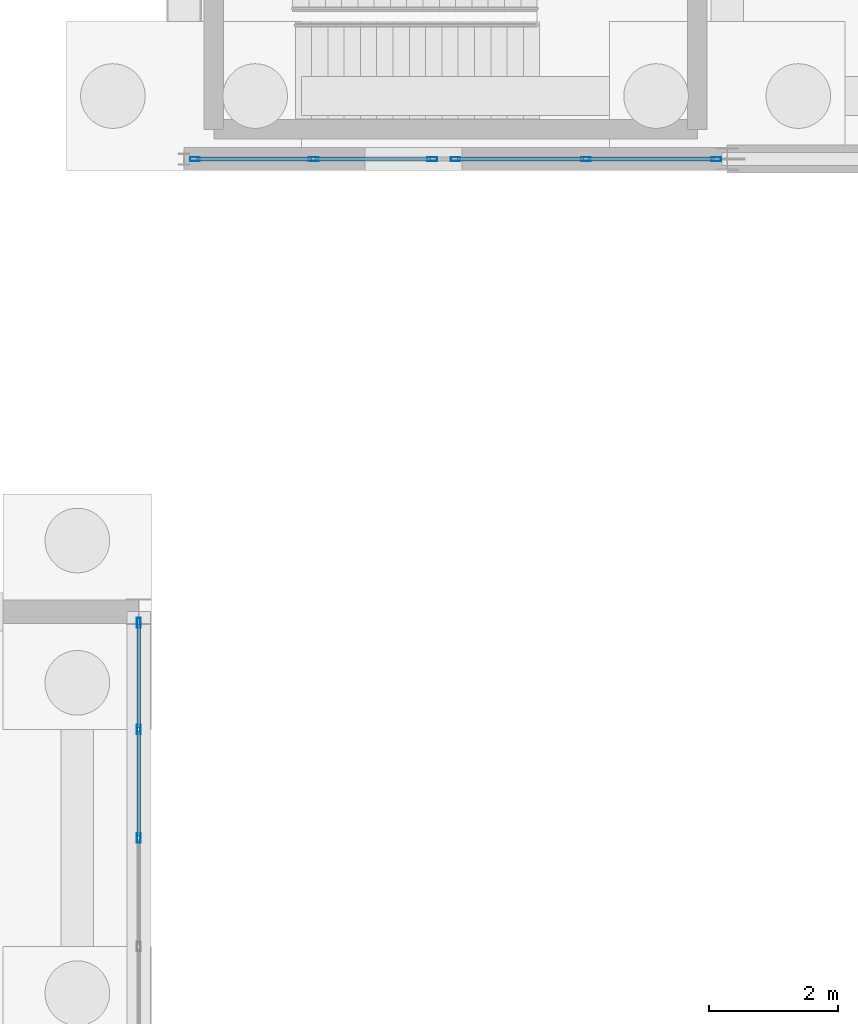
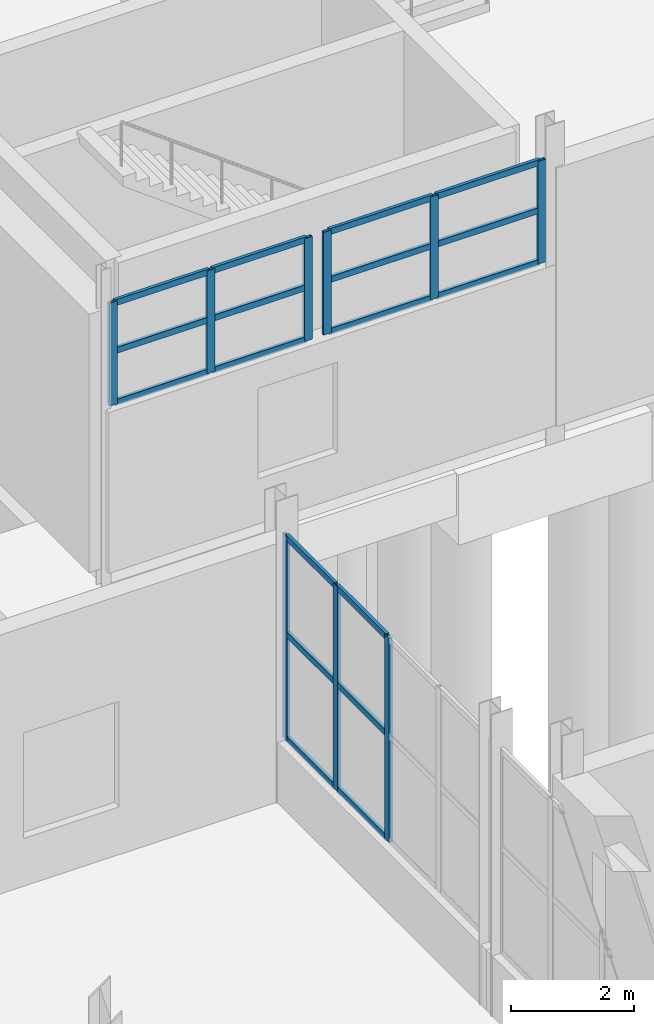
# One storey, part 66 of 139: 27 members, 3 elements without a shape of their own.
"""IFC4 building model written with IfcOpenShell, lengths in metres."""

import ifcopenshell
import ifcopenshell.guid

model = None  # the IFC model being written
_history = None  # IfcOwnerHistory: only IFC2X3 demands one
_inside = {}  # id of a spatial element -> (the spatial element, [elements in it])
_under = {}  # id of a project, library or spatial element -> (it, [spatial elements below it])
_declared = {}  # id of a project -> (the project, [libraries it declares])
_typed = {}  # id of a type object -> (the type object, [elements of that type])
_made_of = {}  # id of a material, layer set ... -> (it, [elements and type objects made of it])


def new_model(schema):
    """Start an empty IFC model of exactly this schema.

    Asked for "IFC4X3", IfcOpenShell would pick the latest addendum, in which some entities
    have other attributes; the version numbers below select the first issue.
    IFC2X3 requires an IfcOwnerHistory on every rooted entity: one is made here for all.
    """
    global model, _history
    if schema == "IFC4X3":
        model = ifcopenshell.file(schema_version=(4, 3, 0, 0))
    else:
        model = ifcopenshell.file(schema=schema)
    _inside.clear()
    _under.clear()
    _declared.clear()
    _typed.clear()
    _made_of.clear()
    _history = None
    if model.schema == "IFC2X3":
        org = make("IfcOrganization", Name="unknown")
        user = make(
            "IfcPersonAndOrganization",
            ThePerson=make("IfcPerson", FamilyName="unknown"),
            TheOrganization=org,
        )
        app = make(
            "IfcApplication",
            ApplicationDeveloper=org,
            Version="unknown",
            ApplicationFullName="unknown",
            ApplicationIdentifier="unknown",
        )
        _history = make(
            "IfcOwnerHistory",
            OwningUser=user,
            OwningApplication=app,
            ChangeAction="ADDED",
            CreationDate=0,
        )
    return model


def make(cls, **values):
    """One entity of the class cls with the attributes given. An attribute that is None is left unset."""
    return model.create_entity(
        cls, **{name: value for name, value in values.items() if value is not None}
    )


def rooted(cls, **values):
    """An entity with a GlobalId (a new one), such as an element, a storey or a relation."""
    return make(cls, GlobalId=ifcopenshell.guid.new(), OwnerHistory=_history, **values)


def si_unit(unit_type, name, prefix=None):
    """IfcSIUnit, for example si_unit("LENGTHUNIT", "METRE", prefix="MILLI")."""
    return make("IfcSIUnit", UnitType=unit_type, Prefix=prefix, Name=name)


def assignment(units):
    """IfcUnitAssignment: the units of a project."""
    return None if units is None else make("IfcUnitAssignment", Units=units)


def point(xyz):
    """IfcCartesianPoint."""
    return None if xyz is None else make("IfcCartesianPoint", Coordinates=xyz)


def direction(xyz):
    """IfcDirection."""
    return None if xyz is None else make("IfcDirection", DirectionRatios=xyz)


def frame(location, z_axis=None, x_axis=None):
    """IfcAxis2Placement3D, a coordinate frame: its origin and axes. An axis left out is left unset."""
    return make(
        "IfcAxis2Placement3D",
        Location=point(location),
        Axis=direction(z_axis),
        RefDirection=direction(x_axis),
    )


def frame_2d(location, x_axis=None):
    """IfcAxis2Placement2D, a coordinate frame in the plane: its origin and x axis."""
    return make(
        "IfcAxis2Placement2D", Location=point(location), RefDirection=direction(x_axis)
    )


def origin():
    """The frame at (0, 0, 0) with its axes left unset."""
    return frame((0.0, 0.0, 0.0))


def origin_2d():
    """The frame at (0, 0) in the plane with its x axis left unset."""
    return frame_2d((0.0, 0.0))


def place(relative_to, where):
    """IfcLocalPlacement: puts the frame where relative to a parent placement (None: the world)."""
    return make(
        "IfcLocalPlacement", PlacementRelTo=relative_to, RelativePlacement=where
    )


def context(
    kind, dimensions, precision=None, world=None, true_north=None, identifier=None
):
    """IfcGeometricRepresentationContext, for example the 3D "Model" context."""
    return make(
        "IfcGeometricRepresentationContext",
        ContextIdentifier=identifier,
        ContextType=kind,
        CoordinateSpaceDimension=dimensions,
        Precision=precision,
        WorldCoordinateSystem=world,
        TrueNorth=true_north,
    )


def subcontext(parent, identifier, kind, view, scale=None):
    """IfcGeometricRepresentationSubContext, for example "Body" below "Model"."""
    return make(
        "IfcGeometricRepresentationSubContext",
        ContextIdentifier=identifier,
        ContextType=kind,
        ParentContext=parent,
        TargetScale=scale,
        TargetView=view,
    )


def project(units=None, contexts=None):
    """IfcProject with its units and contexts."""
    return rooted(
        "IfcProject",
        Name="project",
        RepresentationContexts=contexts,
        UnitsInContext=assignment(units),
    )


def spatial(cls, under=None, at=None, **own):
    """A site, building, storey or space (cls), placed at a placement, below another one or the project."""
    s = rooted(cls, ObjectPlacement=at, **own)
    if under is not None:
        _under.setdefault(under.id(), (under, []))[1].append(s)
    return s


def profile(cls, at=None, kind="AREA", **sizes):
    """A parametric profile (cls). Its sizes go by their IFC names, for example OverallWidth=200.0."""
    return make(cls, ProfileType=kind, Position=at, **sizes)


def hollow_rectangle(**sizes):
    """IfcRectangleHollowProfileDef."""
    return profile("IfcRectangleHollowProfileDef", **sizes)


def extrude(swept, where, along, depth):
    """IfcExtrudedAreaSolid: the profile swept, set in the frame where, extruded along a direction by depth."""
    return make(
        "IfcExtrudedAreaSolid",
        SweptArea=swept,
        Position=where,
        ExtrudedDirection=direction(along),
        Depth=depth,
    )


def shape(context_of_items, identifier, shape_type, items):
    """IfcShapeRepresentation: the items that make up one representation, for example the "Body"."""
    return make(
        "IfcShapeRepresentation",
        ContextOfItems=context_of_items,
        RepresentationIdentifier=identifier,
        RepresentationType=shape_type,
        Items=items,
    )


def material(Name=None, Category=None):
    """IfcMaterial."""
    return make("IfcMaterial", Name=Name, Category=Category)


def material_profile(
    of_material, cross_section, Name=None, Category=None, Priority=None
):
    """IfcMaterialProfile: a cross section and its material."""
    return make(
        "IfcMaterialProfile",
        Name=Name,
        Material=of_material,
        Profile=cross_section,
        Priority=Priority,
        Category=Category,
    )


def profile_set(profiles, Name=None, composite=None):
    """IfcMaterialProfileSet."""
    return make(
        "IfcMaterialProfileSet",
        Name=Name,
        MaterialProfiles=profiles,
        CompositeProfile=composite,
    )


def made_of(thing, what):
    """Note that an element or type object is made of a material, layer set ...; save() writes the relation."""
    if what is not None:
        _made_of.setdefault(what.id(), (what, []))[1].append(thing)
    return thing


def type_object(cls, material=None, **own):
    """A type object (cls), such as IfcWallType, which elements share."""
    return made_of(rooted(cls, **own), material)


def element(
    cls,
    number,
    at=None,
    inside=None,
    cuts=None,
    type_object=None,
    material=None,
    context=None,
    identifier="Body",
    shape_type=None,
    held_by="IfcProductDefinitionShape",
    body=None,
    shapes=None,
    **own,
):
    """One element of the class cls, such as IfcWall. Its Tag is "e" and its number.

    at: its placement. inside: the storey or other place that contains it. cuts: it is an
    opening in that element (IfcRelVoidsElement). A single representation is given by context,
    identifier, shape_type and body (its items); several are given by shapes. held_by: the class
    of the entity that holds the representations. save() writes the other relations.
    """
    e = rooted(cls, Tag="e%d" % number, ObjectPlacement=at, **own)
    if body is not None:
        shapes = [shape(context, identifier, shape_type, body)]
    if shapes is not None:
        e.Representation = make(held_by, Representations=shapes)
    if inside is not None:
        _inside.setdefault(inside.id(), (inside, []))[1].append(e)
    if cuts is not None:
        rooted(
            "IfcRelVoidsElement", RelatingBuildingElement=cuts, RelatedOpeningElement=e
        )
    if type_object is not None:
        _typed.setdefault(type_object.id(), (type_object, []))[1].append(e)
    return made_of(e, material)


def aggregate(whole, parts):
    """IfcRelAggregates: a whole, such as a stair, and the parts it consists of."""
    return rooted("IfcRelAggregates", RelatingObject=whole, RelatedObjects=parts)


def save(model, path):
    """Write the relations noted so far, then the file.

    IfcRelAggregates (storeys below a building ...), IfcRelContainedInSpatialStructure (elements
    in a storey), IfcRelDefinesByType, IfcRelAssociatesMaterial and IfcRelDeclares: one each for
    every whole, place, type object, material and project.
    """
    for whole, parts in _under.values():
        aggregate(whole, parts)
    for where, things in _inside.values():
        rooted(
            "IfcRelContainedInSpatialStructure",
            RelatedElements=things,
            RelatingStructure=where,
        )
    for kind, things in _typed.values():
        rooted("IfcRelDefinesByType", RelatedObjects=things, RelatingType=kind)
    for what, things in _made_of.values():
        rooted("IfcRelAssociatesMaterial", RelatedObjects=things, RelatingMaterial=what)
    for by, libraries in _declared.values():
        rooted("IfcRelDeclares", RelatingContext=by, RelatedDefinitions=libraries)
    model.write(path)


model = new_model("IFC4")

# Units and contexts
model_context = context("Model", 3, precision=1e-05, world=origin(), true_north=direction((0.0, 1.0)))
body_context = subcontext(model_context, "Body", "Model", "MODEL_VIEW")
ifc_project = project(units=[si_unit("LENGTHUNIT", "METRE"), si_unit("AREAUNIT", "SQUARE_METRE"), si_unit("VOLUMEUNIT", "CUBIC_METRE"), si_unit("PLANEANGLEUNIT", "RADIAN"), si_unit("MASSUNIT", "GRAM", prefix="KILO")], contexts=[model_context])

# Site, building, storey
site_placement = place(None, origin())
site = spatial("IfcSite", under=ifc_project, at=site_placement, CompositionType="ELEMENT")
building_placement = place(site_placement, origin())
building = spatial("IfcBuilding", under=site, at=building_placement, Name="Kazenagashi Tramway Depot", CompositionType="ELEMENT")
storey_placement = place(building_placement, origin())
storey = spatial("IfcBuildingStorey", under=building, at=storey_placement, Name="L01", CompositionType="ELEMENT", Elevation=0.0)

# Curtain wall, members
ifc_material_1 = material(Name="Anodised Aluminium and Low-E Glazing", Category="aluminium")
curtain_wall_type_1 = type_object("IfcCurtainWallType", Name="CW-09", PredefinedType="USERDEFINED", material=ifc_material_1)
curtain_wall_1_placement = place(storey_placement, origin())
curtain_wall_1 = element("IfcCurtainWall", 1, at=curtain_wall_1_placement, inside=storey, type_object=curtain_wall_type_1, Name="Industrial Glazed Screen CW-09 CW-0017", ObjectType="GLAZED SCREEN", PredefinedType="USERDEFINED")
ifc_material_2 = material(Name="Anodised Aluminium", Category="aluminium")
ifc_material_profile_1 = material_profile(ifc_material_2, hollow_rectangle(XDim=0.06, YDim=0.15, WallThickness=0.004, at=origin_2d()), Name="RHS-150x60x4")
ifc_profile_set_1 = profile_set([ifc_material_profile_1], Name="Anodised Aluminium")
member_type_1 = type_object("IfcMemberType", Name="ML-01", PredefinedType="MULLION", material=ifc_profile_set_1)
member_1_placement = place(storey_placement, frame((44.97, 70.0, 3.2), z_axis=(0.0, 0.0, 1.0), x_axis=(0.0, 1.0, 0.0)))
member_1 = element("IfcMember", 2, at=member_1_placement, type_object=member_type_1, Name="CW-09 mullion 1", PredefinedType="MULLION", context=body_context, shape_type="SweptSolid", body=[
    extrude(hollow_rectangle(XDim=0.06, YDim=0.15, WallThickness=0.004, at=origin_2d()), origin(), (0.0, 0.0, 1.0), 2.047),
])
member_2_placement = place(storey_placement, frame((46.805, 70.0, 3.2), z_axis=(0.0, 0.0, 1.0), x_axis=(0.0, 1.0, 0.0)))
member_2 = element("IfcMember", 3, at=member_2_placement, type_object=member_type_1, Name="CW-09 mullion 2", PredefinedType="MULLION", context=body_context, shape_type="SweptSolid", body=[
    extrude(hollow_rectangle(XDim=0.06, YDim=0.15, WallThickness=0.004, at=origin_2d()), origin(), (0.0, 0.0, 1.0), 2.047),
])
member_3_placement = place(storey_placement, frame((48.64, 70.0, 3.2), z_axis=(0.0, 0.0, 1.0), x_axis=(0.0, 1.0, 0.0)))
member_3 = element("IfcMember", 4, at=member_3_placement, type_object=member_type_1, Name="CW-09 mullion 3", PredefinedType="MULLION", context=body_context, shape_type="SweptSolid", body=[
    extrude(hollow_rectangle(XDim=0.06, YDim=0.15, WallThickness=0.004, at=origin_2d()), origin(), (0.0, 0.0, 1.0), 2.047),
])

curtain_wall_type_2 = type_object("IfcCurtainWallType", Name="CW-10", PredefinedType="USERDEFINED", material=ifc_material_1)
curtain_wall_2_placement = place(storey_placement, origin())
curtain_wall_2 = element("IfcCurtainWall", 5, at=curtain_wall_2_placement, inside=storey, type_object=curtain_wall_type_2, Name="Industrial Glazed Screen CW-10 CW-0018", ObjectType="GLAZED SCREEN", PredefinedType="USERDEFINED")
member_4_placement = place(storey_placement, frame((49.0, 70.0, 3.2), z_axis=(0.0, 0.0, 1.0), x_axis=(0.0, 1.0, 0.0)))
member_4 = element("IfcMember", 6, at=member_4_placement, type_object=member_type_1, Name="CW-10 mullion 1", PredefinedType="MULLION", context=body_context, shape_type="SweptSolid", body=[
    extrude(hollow_rectangle(XDim=0.06, YDim=0.15, WallThickness=0.004, at=origin_2d()), origin(), (0.0, 0.0, 1.0), 2.047),
])
member_5_placement = place(storey_placement, frame((51.015, 70.0, 3.2), z_axis=(0.0, 0.0, 1.0), x_axis=(0.0, 1.0, 0.0)))
member_5 = element("IfcMember", 7, at=member_5_placement, type_object=member_type_1, Name="CW-10 mullion 2", PredefinedType="MULLION", context=body_context, shape_type="SweptSolid", body=[
    extrude(hollow_rectangle(XDim=0.06, YDim=0.15, WallThickness=0.004, at=origin_2d()), origin(), (0.0, 0.0, 1.0), 2.047),
])
member_6_placement = place(storey_placement, frame((53.03, 70.0, 3.2), z_axis=(0.0, 0.0, 1.0), x_axis=(0.0, 1.0, 0.0)))
member_6 = element("IfcMember", 8, at=member_6_placement, type_object=member_type_1, Name="CW-10 mullion 3", PredefinedType="MULLION", context=body_context, shape_type="SweptSolid", body=[
    extrude(hollow_rectangle(XDim=0.06, YDim=0.15, WallThickness=0.004, at=origin_2d()), origin(), (0.0, 0.0, 1.0), 2.047),
])

curtain_wall_type_3 = type_object("IfcCurtainWallType", Name="CW-33", PredefinedType="USERDEFINED", material=ifc_material_1)
curtain_wall_3_placement = place(storey_placement, origin())
curtain_wall_3 = element("IfcCurtainWall", 9, at=curtain_wall_3_placement, inside=storey, type_object=curtain_wall_type_3, Name="Industrial Glazed Screen CW-33 CW-0195", ObjectType="GLAZED SCREEN", PredefinedType="USERDEFINED")
member_7_placement = place(storey_placement, frame((44.1, 59.5, 1.2), z_axis=(0.0, 0.0, 1.0), x_axis=(-1.0, 0.0, 0.0)))
member_7 = element("IfcMember", 10, at=member_7_placement, type_object=member_type_1, Name="CW-33 mullion 3", PredefinedType="MULLION", context=body_context, shape_type="SweptSolid", body=[
    extrude(hollow_rectangle(XDim=0.06, YDim=0.15, WallThickness=0.004, at=origin_2d()), origin(), (0.0, 0.0, 1.0), 4.062),
])
member_8_placement = place(storey_placement, frame((44.1, 61.18, 1.2), z_axis=(0.0, 0.0, 1.0), x_axis=(-1.0, 0.0, 0.0)))
member_8 = element("IfcMember", 11, at=member_8_placement, type_object=member_type_1, Name="CW-33 mullion 4", PredefinedType="MULLION", context=body_context, shape_type="SweptSolid", body=[
    extrude(hollow_rectangle(XDim=0.06, YDim=0.15, WallThickness=0.004, at=origin_2d()), origin(), (0.0, 0.0, 1.0), 4.062),
])
member_9_placement = place(storey_placement, frame((44.1, 62.83, 1.2), z_axis=(0.0, 0.0, 1.0), x_axis=(-1.0, 0.0, 0.0)))
member_9 = element("IfcMember", 12, at=member_9_placement, type_object=member_type_1, Name="CW-33 mullion 5", PredefinedType="MULLION", context=body_context, shape_type="SweptSolid", body=[
    extrude(hollow_rectangle(XDim=0.06, YDim=0.15, WallThickness=0.004, at=origin_2d()), origin(), (0.0, 0.0, 1.0), 4.062),
])

# Member
ifc_material_profile_2 = material_profile(ifc_material_2, hollow_rectangle(XDim=0.06, YDim=0.12, WallThickness=0.004, at=origin_2d()), Name="RHS-120x60x4")
ifc_profile_set_2 = profile_set([ifc_material_profile_2], Name="Anodised Aluminium")
member_type_2 = type_object("IfcMemberType", Name="TR-01", PredefinedType="USERDEFINED", material=ifc_profile_set_2)
member_10_placement = place(storey_placement, frame((45.0, 70.0, 3.23), z_axis=(1.0, 0.0, 0.0), x_axis=(0.0, 1.0, 0.0)))
member_10 = element("IfcMember", 13, at=member_10_placement, type_object=member_type_2, Name="CW-09 transom 1.1", ObjectType="TRANSOM", PredefinedType="USERDEFINED", context=body_context, shape_type="SweptSolid", body=[
    extrude(hollow_rectangle(XDim=0.06, YDim=0.12, WallThickness=0.004, at=origin_2d()), origin(), (0.0, 0.0, 1.0), 1.775),
])

member_11_placement = place(storey_placement, frame((45.0, 70.0, 4.264), z_axis=(1.0, 0.0, 0.0), x_axis=(0.0, 1.0, 0.0)))
member_11 = element("IfcMember", 14, at=member_11_placement, type_object=member_type_2, Name="CW-09 transom 1.2", ObjectType="TRANSOM", PredefinedType="USERDEFINED", context=body_context, shape_type="SweptSolid", body=[
    extrude(hollow_rectangle(XDim=0.06, YDim=0.12, WallThickness=0.004, at=origin_2d()), origin(), (0.0, 0.0, 1.0), 1.775),
])

member_12_placement = place(storey_placement, frame((45.0, 70.0, 5.217), z_axis=(1.0, 0.0, 0.0), x_axis=(0.0, 1.0, 0.0)))
member_12 = element("IfcMember", 15, at=member_12_placement, type_object=member_type_2, Name="CW-09 transom 1.3", ObjectType="TRANSOM", PredefinedType="USERDEFINED", context=body_context, shape_type="SweptSolid", body=[
    extrude(hollow_rectangle(XDim=0.06, YDim=0.12, WallThickness=0.004, at=origin_2d()), origin(), (0.0, 0.0, 1.0), 1.775),
])

member_13_placement = place(storey_placement, frame((46.835, 70.0, 3.23), z_axis=(1.0, 0.0, 0.0), x_axis=(0.0, 1.0, 0.0)))
member_13 = element("IfcMember", 16, at=member_13_placement, type_object=member_type_2, Name="CW-09 transom 2.1", ObjectType="TRANSOM", PredefinedType="USERDEFINED", context=body_context, shape_type="SweptSolid", body=[
    extrude(hollow_rectangle(XDim=0.06, YDim=0.12, WallThickness=0.004, at=origin_2d()), origin(), (0.0, 0.0, 1.0), 1.775),
])

member_14_placement = place(storey_placement, frame((46.835, 70.0, 4.264), z_axis=(1.0, 0.0, 0.0), x_axis=(0.0, 1.0, 0.0)))
member_14 = element("IfcMember", 17, at=member_14_placement, type_object=member_type_2, Name="CW-09 transom 2.2", ObjectType="TRANSOM", PredefinedType="USERDEFINED", context=body_context, shape_type="SweptSolid", body=[
    extrude(hollow_rectangle(XDim=0.06, YDim=0.12, WallThickness=0.004, at=origin_2d()), origin(), (0.0, 0.0, 1.0), 1.775),
])

member_15_placement = place(storey_placement, frame((46.835, 70.0, 5.217), z_axis=(1.0, 0.0, 0.0), x_axis=(0.0, 1.0, 0.0)))
member_15 = element("IfcMember", 18, at=member_15_placement, type_object=member_type_2, Name="CW-09 transom 2.3", ObjectType="TRANSOM", PredefinedType="USERDEFINED", context=body_context, shape_type="SweptSolid", body=[
    extrude(hollow_rectangle(XDim=0.06, YDim=0.12, WallThickness=0.004, at=origin_2d()), origin(), (0.0, 0.0, 1.0), 1.775),
])

aggregate(curtain_wall_1, [member_1, member_2, member_3, member_10, member_11, member_12, member_13, member_14, member_15])

member_16_placement = place(storey_placement, frame((49.03, 70.0, 3.23), z_axis=(1.0, 0.0, 0.0), x_axis=(0.0, 1.0, 0.0)))
member_16 = element("IfcMember", 19, at=member_16_placement, type_object=member_type_2, Name="CW-10 transom 1.1", ObjectType="TRANSOM", PredefinedType="USERDEFINED", context=body_context, shape_type="SweptSolid", body=[
    extrude(hollow_rectangle(XDim=0.06, YDim=0.12, WallThickness=0.004, at=origin_2d()), origin(), (0.0, 0.0, 1.0), 1.955),
])

member_17_placement = place(storey_placement, frame((49.03, 70.0, 4.264), z_axis=(1.0, 0.0, 0.0), x_axis=(0.0, 1.0, 0.0)))
member_17 = element("IfcMember", 20, at=member_17_placement, type_object=member_type_2, Name="CW-10 transom 1.2", ObjectType="TRANSOM", PredefinedType="USERDEFINED", context=body_context, shape_type="SweptSolid", body=[
    extrude(hollow_rectangle(XDim=0.06, YDim=0.12, WallThickness=0.004, at=origin_2d()), origin(), (0.0, 0.0, 1.0), 1.955),
])

member_18_placement = place(storey_placement, frame((49.03, 70.0, 5.217), z_axis=(1.0, 0.0, 0.0), x_axis=(0.0, 1.0, 0.0)))
member_18 = element("IfcMember", 21, at=member_18_placement, type_object=member_type_2, Name="CW-10 transom 1.3", ObjectType="TRANSOM", PredefinedType="USERDEFINED", context=body_context, shape_type="SweptSolid", body=[
    extrude(hollow_rectangle(XDim=0.06, YDim=0.12, WallThickness=0.004, at=origin_2d()), origin(), (0.0, 0.0, 1.0), 1.955),
])

member_19_placement = place(storey_placement, frame((51.045, 70.0, 3.23), z_axis=(1.0, 0.0, 0.0), x_axis=(0.0, 1.0, 0.0)))
member_19 = element("IfcMember", 22, at=member_19_placement, type_object=member_type_2, Name="CW-10 transom 2.1", ObjectType="TRANSOM", PredefinedType="USERDEFINED", context=body_context, shape_type="SweptSolid", body=[
    extrude(hollow_rectangle(XDim=0.06, YDim=0.12, WallThickness=0.004, at=origin_2d()), origin(), (0.0, 0.0, 1.0), 1.955),
])

member_20_placement = place(storey_placement, frame((51.045, 70.0, 4.264), z_axis=(1.0, 0.0, 0.0), x_axis=(0.0, 1.0, 0.0)))
member_20 = element("IfcMember", 23, at=member_20_placement, type_object=member_type_2, Name="CW-10 transom 2.2", ObjectType="TRANSOM", PredefinedType="USERDEFINED", context=body_context, shape_type="SweptSolid", body=[
    extrude(hollow_rectangle(XDim=0.06, YDim=0.12, WallThickness=0.004, at=origin_2d()), origin(), (0.0, 0.0, 1.0), 1.955),
])

member_21_placement = place(storey_placement, frame((51.045, 70.0, 5.217), z_axis=(1.0, 0.0, 0.0), x_axis=(0.0, 1.0, 0.0)))
member_21 = element("IfcMember", 24, at=member_21_placement, type_object=member_type_2, Name="CW-10 transom 2.3", ObjectType="TRANSOM", PredefinedType="USERDEFINED", context=body_context, shape_type="SweptSolid", body=[
    extrude(hollow_rectangle(XDim=0.06, YDim=0.12, WallThickness=0.004, at=origin_2d()), origin(), (0.0, 0.0, 1.0), 1.955),
])

aggregate(curtain_wall_2, [member_4, member_5, member_6, member_16, member_17, member_18, member_19, member_20, member_21])

member_22_placement = place(storey_placement, frame((44.1, 59.53, 1.23), z_axis=(0.0, 1.0, 0.0), x_axis=(-1.0, 0.0, 0.0)))
member_22 = element("IfcMember", 25, at=member_22_placement, type_object=member_type_2, Name="CW-33 transom 3.1", ObjectType="TRANSOM", PredefinedType="USERDEFINED", context=body_context, shape_type="SweptSolid", body=[
    extrude(hollow_rectangle(XDim=0.06, YDim=0.12, WallThickness=0.004, at=origin_2d()), origin(), (0.0, 0.0, 1.0), 1.62),
])

member_23_placement = place(storey_placement, frame((44.1, 59.53, 3.312), z_axis=(0.0, 1.0, 0.0), x_axis=(-1.0, 0.0, 0.0)))
member_23 = element("IfcMember", 26, at=member_23_placement, type_object=member_type_2, Name="CW-33 transom 3.2", ObjectType="TRANSOM", PredefinedType="USERDEFINED", context=body_context, shape_type="SweptSolid", body=[
    extrude(hollow_rectangle(XDim=0.06, YDim=0.12, WallThickness=0.004, at=origin_2d()), origin(), (0.0, 0.0, 1.0), 1.62),
])

member_24_placement = place(storey_placement, frame((44.1, 59.53, 5.232), z_axis=(0.0, 1.0, 0.0), x_axis=(-1.0, 0.0, 0.0)))
member_24 = element("IfcMember", 27, at=member_24_placement, type_object=member_type_2, Name="CW-33 transom 3.3", ObjectType="TRANSOM", PredefinedType="USERDEFINED", context=body_context, shape_type="SweptSolid", body=[
    extrude(hollow_rectangle(XDim=0.06, YDim=0.12, WallThickness=0.004, at=origin_2d()), origin(), (0.0, 0.0, 1.0), 1.62),
])

member_25_placement = place(storey_placement, frame((44.1, 61.21, 1.23), z_axis=(0.0, 1.0, 0.0), x_axis=(-1.0, 0.0, 0.0)))
member_25 = element("IfcMember", 28, at=member_25_placement, type_object=member_type_2, Name="CW-33 transom 4.1", ObjectType="TRANSOM", PredefinedType="USERDEFINED", context=body_context, shape_type="SweptSolid", body=[
    extrude(hollow_rectangle(XDim=0.06, YDim=0.12, WallThickness=0.004, at=origin_2d()), origin(), (0.0, 0.0, 1.0), 1.59),
])

member_26_placement = place(storey_placement, frame((44.1, 61.21, 3.312), z_axis=(0.0, 1.0, 0.0), x_axis=(-1.0, 0.0, 0.0)))
member_26 = element("IfcMember", 29, at=member_26_placement, type_object=member_type_2, Name="CW-33 transom 4.2", ObjectType="TRANSOM", PredefinedType="USERDEFINED", context=body_context, shape_type="SweptSolid", body=[
    extrude(hollow_rectangle(XDim=0.06, YDim=0.12, WallThickness=0.004, at=origin_2d()), origin(), (0.0, 0.0, 1.0), 1.59),
])

member_27_placement = place(storey_placement, frame((44.1, 61.21, 5.232), z_axis=(0.0, 1.0, 0.0), x_axis=(-1.0, 0.0, 0.0)))
member_27 = element("IfcMember", 30, at=member_27_placement, type_object=member_type_2, Name="CW-33 transom 4.3", ObjectType="TRANSOM", PredefinedType="USERDEFINED", context=body_context, shape_type="SweptSolid", body=[
    extrude(hollow_rectangle(XDim=0.06, YDim=0.12, WallThickness=0.004, at=origin_2d()), origin(), (0.0, 0.0, 1.0), 1.59),
])

aggregate(curtain_wall_3, [member_7, member_8, member_9, member_22, member_23, member_24, member_25, member_26, member_27])

save(model, "model.ifc")
